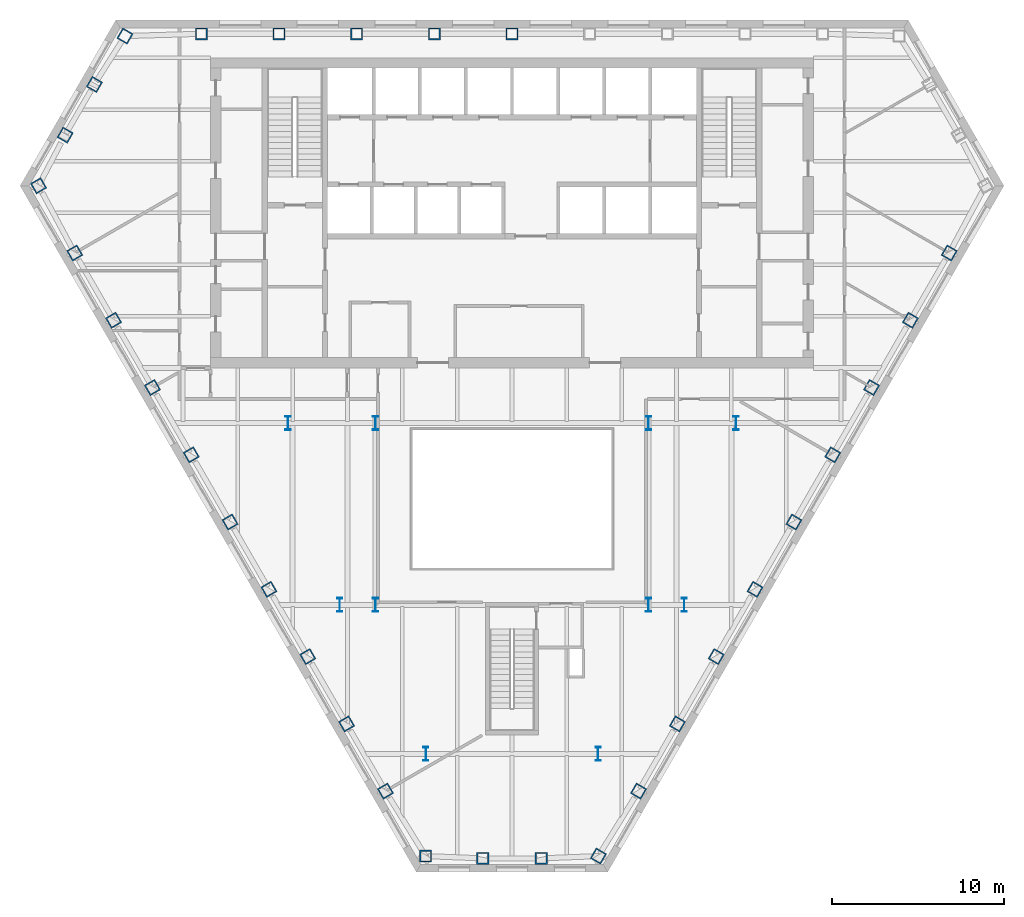
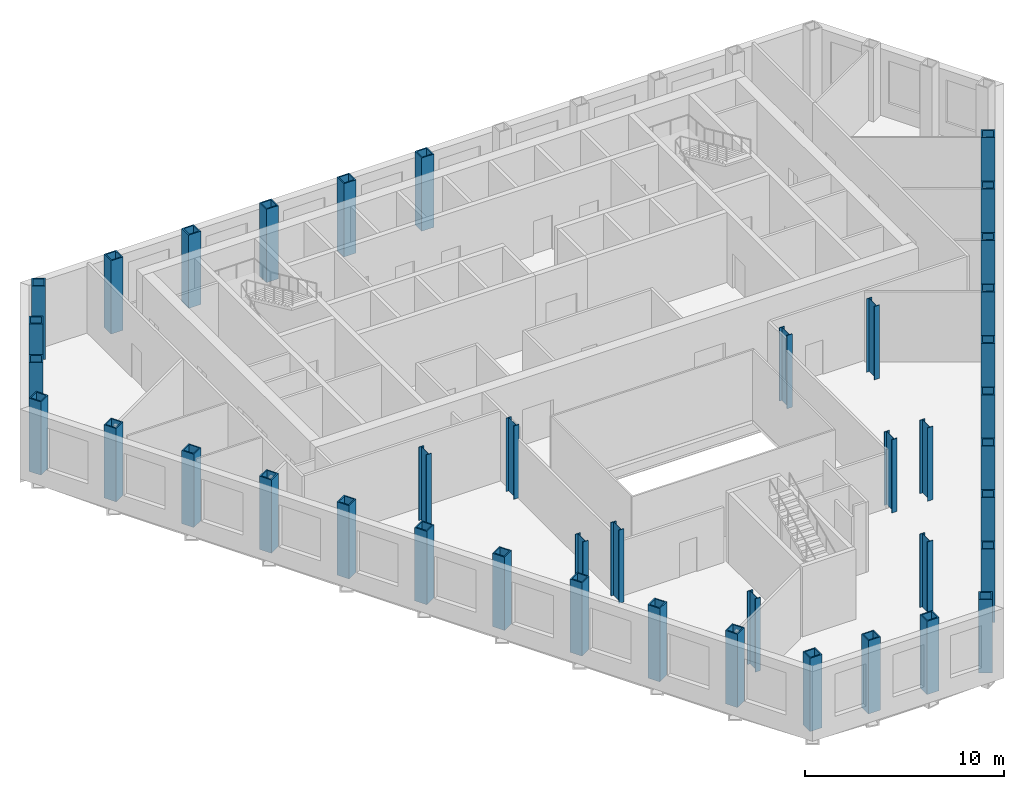
# One storey, part 1 of 12: 41 columns.
"""IFC4 building model written with IfcOpenShell, lengths in metres."""

from ifc_helpers import new_model, si_unit, direction, frame, origin, origin_2d, place, context, subcontext, project, spatial, hollow_rectangle, i_section, extrude, material, material_profile, profile_set, type_object, element, save


model = new_model("IFC4")

# Units and contexts
model_context = context("Model", 3, precision=1e-05, world=origin(), true_north=direction((0.0, 1.0)))
body_context = subcontext(model_context, "Body", "Model", "MODEL_VIEW")
ifc_project = project(units=[si_unit("LENGTHUNIT", "METRE"), si_unit("AREAUNIT", "SQUARE_METRE"), si_unit("VOLUMEUNIT", "CUBIC_METRE"), si_unit("PLANEANGLEUNIT", "RADIAN"), si_unit("MASSUNIT", "GRAM", prefix="KILO")], contexts=[model_context])

# Site, building, storey
site_placement = place(None, origin())
site = spatial("IfcSite", under=ifc_project, at=site_placement, CompositionType="ELEMENT")
building_placement = place(site_placement, origin())
building = spatial("IfcBuilding", under=site, at=building_placement, Name="Njiva Tower", CompositionType="ELEMENT")
storey_placement = place(building_placement, frame((0.0, 0.0, 60.3)))
storey = spatial("IfcBuildingStorey", under=building, at=storey_placement, Name="L12", CompositionType="ELEMENT", Elevation=60.3)

# Columns
ifc_material = material(Name="Steel S355 J2", Category="steel")
ifc_material_profile_1 = material_profile(ifc_material, hollow_rectangle(XDim=0.7, YDim=0.7, WallThickness=0.07, at=origin_2d()), Name="BOX 700x700x70")
ifc_profile_set_1 = profile_set([ifc_material_profile_1], Name="Steel S355 J2")
column_type_1 = type_object("IfcColumnType", Name="C5 Perimeter tube column BOX 700x700x70", PredefinedType="COLUMN", material=ifc_profile_set_1)
for number, where, z_axis, x_axis, name in (
    (1, (0.0, 19.4, 0.0), (0.0, 0.0, 1.0), (-1.0, 0.0, 0.0), "Perimeter tube column S04-C06"),
    (2, (-4.509, 19.4, 0.0), (0.0, 0.0, 1.0), (-1.0, 0.0, 0.0), "Perimeter tube column S04-C07"),
    (3, (-9.017, 19.4, 0.0), (0.0, 0.0, 1.0), (-1.0, 0.0, 0.0), "Perimeter tube column S04-C08"),
    (4, (-13.526, 19.4, 0.0), (0.0, 0.0, 1.0), (-1.0, 0.0, 0.0), "Perimeter tube column S04-C09"),
    (5, (-18.034, 19.4, 0.0), (0.0, 0.0, 1.0), (-1.0, 0.0, 0.0), "Perimeter tube column S04-C10"),
    (6, (-22.466, 19.267, 0.0), (0.0, 0.0, 1.0), (-0.5, -0.866025403784, 0.0), "Perimeter tube column S04-C11"),
    (7, (-24.241, 16.459, 0.0), (0.0, 0.0, 1.0), (-0.5, -0.866025403784, 0.0), "Perimeter tube column S04-C12"),
    (8, (-25.939, 13.519, 0.0), (0.0, 0.0, 1.0), (-0.5, -0.866025403784, 0.0), "Perimeter tube column S04-C13"),
    (9, (-27.483, 10.578, 0.0), (0.0, 0.0, 1.0), (0.5, -0.866025403784, 0.0), "Perimeter tube column S04-C14"),
    (10, (-25.382, 6.674, 0.0), (0.0, 0.0, 1.0), (0.5, -0.866025403784, 0.0), "Perimeter tube column S04-C15"),
    (11, (-23.128, 2.769, 0.0), (0.0, 0.0, 1.0), (0.5, -0.866025403784, 0.0), "Perimeter tube column S04-C16"),
    (12, (-20.873, -1.135, 0.0), (0.0, 0.0, 1.0), (0.5, -0.866025403784, 0.0), "Perimeter tube column S04-C17"),
    (13, (-18.619, -5.04, 0.0), (0.0, 0.0, 1.0), (0.5, -0.866025403784, 0.0), "Perimeter tube column S04-C18"),
    (14, (-16.365, -8.944, 0.0), (0.0, 0.0, 1.0), (0.5, -0.866025403784, 0.0), "Perimeter tube column S04-C19"),
    (15, (-14.11, -12.849, 0.0), (0.0, 0.0, 1.0), (0.5, -0.866025403784, 0.0), "Perimeter tube column S04-C20"),
    (16, (-11.856, -16.754, 0.0), (0.0, 0.0, 1.0), (0.5, -0.866025403784, 0.0), "Perimeter tube column S04-C21"),
    (17, (-9.602, -20.658, 0.0), (0.0, 0.0, 1.0), (0.5, -0.866025403784, 0.0), "Perimeter tube column S04-C22"),
    (18, (-7.347, -24.563, 0.0), (0.0, 0.0, 1.0), (0.5, -0.866025403784, 0.0), "Perimeter tube column S04-C23"),
    (19, (-5.016, -28.334, 0.0), (0.0, 0.0, 1.0), (1.0, 0.0, 0.0), "Perimeter tube column S04-C24"),
    (20, (-1.698, -28.467, 0.0), (0.0, 0.0, 1.0), (1.0, 0.0, 0.0), "Perimeter tube column S04-C25"),
    (21, (1.698, -28.467, 0.0), (0.0, 0.0, 1.0), (1.0, 0.0, 0.0), "Perimeter tube column S04-C26"),
    (22, (5.016, -28.334, 0.0), (0.0, 0.0, 1.0), (0.5, 0.866025403784, 0.0), "Perimeter tube column S04-C27"),
    (23, (7.347, -24.563, 0.0), (0.0, 0.0, 1.0), (0.5, 0.866025403784, 0.0), "Perimeter tube column S04-C28"),
    (24, (9.602, -20.658, 0.0), (0.0, 0.0, 1.0), (0.5, 0.866025403784, 0.0), "Perimeter tube column S04-C29"),
    (25, (11.856, -16.754, 0.0), (0.0, 0.0, 1.0), (0.5, 0.866025403784, 0.0), "Perimeter tube column S04-C30"),
    (26, (14.11, -12.849, 0.0), (0.0, 0.0, 1.0), (0.5, 0.866025403784, 0.0), "Perimeter tube column S04-C31"),
    (27, (16.365, -8.944, 0.0), (0.0, 0.0, 1.0), (0.5, 0.866025403784, 0.0), "Perimeter tube column S04-C32"),
    (28, (18.619, -5.04, 0.0), (0.0, 0.0, 1.0), (0.5, 0.866025403784, 0.0), "Perimeter tube column S04-C33"),
    (29, (20.873, -1.135, 0.0), (0.0, 0.0, 1.0), (0.5, 0.866025403784, 0.0), "Perimeter tube column S04-C34"),
    (30, (23.128, 2.769, 0.0), (0.0, 0.0, 1.0), (0.5, 0.866025403784, 0.0), "Perimeter tube column S04-C35"),
    (31, (25.382, 6.674, 0.0), (0.0, 0.0, 1.0), (0.5, 0.866025403784, 0.0), "Perimeter tube column S04-C36"),
):
    element("IfcColumn", number, at=place(storey_placement, frame(where, z_axis=z_axis, x_axis=x_axis)), inside=storey, type_object=column_type_1, Name=name, PredefinedType="COLUMN", context=body_context, shape_type="SweptSolid", body=[
        extrude(hollow_rectangle(XDim=0.7, YDim=0.7, WallThickness=0.07, at=origin_2d()), origin(), (0.0, 0.0, 1.0), 4.5),
    ])
ifc_material_profile_2 = material_profile(ifc_material, i_section(OverallWidth=0.303, OverallDepth=0.814, WebThickness=0.021, FlangeThickness=0.04, at=origin_2d()), Name="HEM 800")
ifc_profile_set_2 = profile_set([ifc_material_profile_2], Name="Steel S355 J2")
column_type_2 = type_object("IfcColumnType", Name="C6 Interior column HEM 800", PredefinedType="COLUMN", material=ifc_profile_set_2)
for number, where, z_axis, x_axis, name in (
    (32, (7.93, -3.2, 0.0), (0.0, 0.0, 1.0), (1.0, 0.0, 0.0), "Interior column S04-C40"),
    (33, (-7.93, -3.2, 0.0), (0.0, 0.0, 1.0), (1.0, 0.0, 0.0), "Interior column S04-C41"),
    (34, (7.93, -13.75, 0.0), (0.0, 0.0, 1.0), (1.0, 0.0, 0.0), "Interior column S04-C42"),
    (35, (-7.93, -13.75, 0.0), (0.0, 0.0, 1.0), (1.0, 0.0, 0.0), "Interior column S04-C43"),
    (36, (5.0, -22.4, 0.0), (0.0, 0.0, 1.0), (1.0, 0.0, 0.0), "Interior column S04-C44"),
    (37, (-5.0, -22.4, 0.0), (0.0, 0.0, 1.0), (1.0, 0.0, 0.0), "Interior column S04-C45"),
    (38, (13.0, -3.2, 0.0), (0.0, 0.0, 1.0), (1.0, 0.0, 0.0), "Interior column S04-C46"),
    (39, (-13.0, -3.2, 0.0), (0.0, 0.0, 1.0), (1.0, 0.0, 0.0), "Interior column S04-C47"),
    (40, (10.0, -13.75, 0.0), (0.0, 0.0, 1.0), (1.0, 0.0, 0.0), "Interior column S04-C48"),
    (41, (-10.0, -13.75, 0.0), (0.0, 0.0, 1.0), (1.0, 0.0, 0.0), "Interior column S04-C49"),
):
    element("IfcColumn", number, at=place(storey_placement, frame(where, z_axis=z_axis, x_axis=x_axis)), inside=storey, type_object=column_type_2, Name=name, PredefinedType="COLUMN", context=body_context, shape_type="SweptSolid", body=[
        extrude(i_section(OverallWidth=0.303, OverallDepth=0.814, WebThickness=0.021, FlangeThickness=0.04, at=origin_2d()), origin(), (0.0, 0.0, 1.0), 4.5),
    ])

save(model, "model.ifc")
